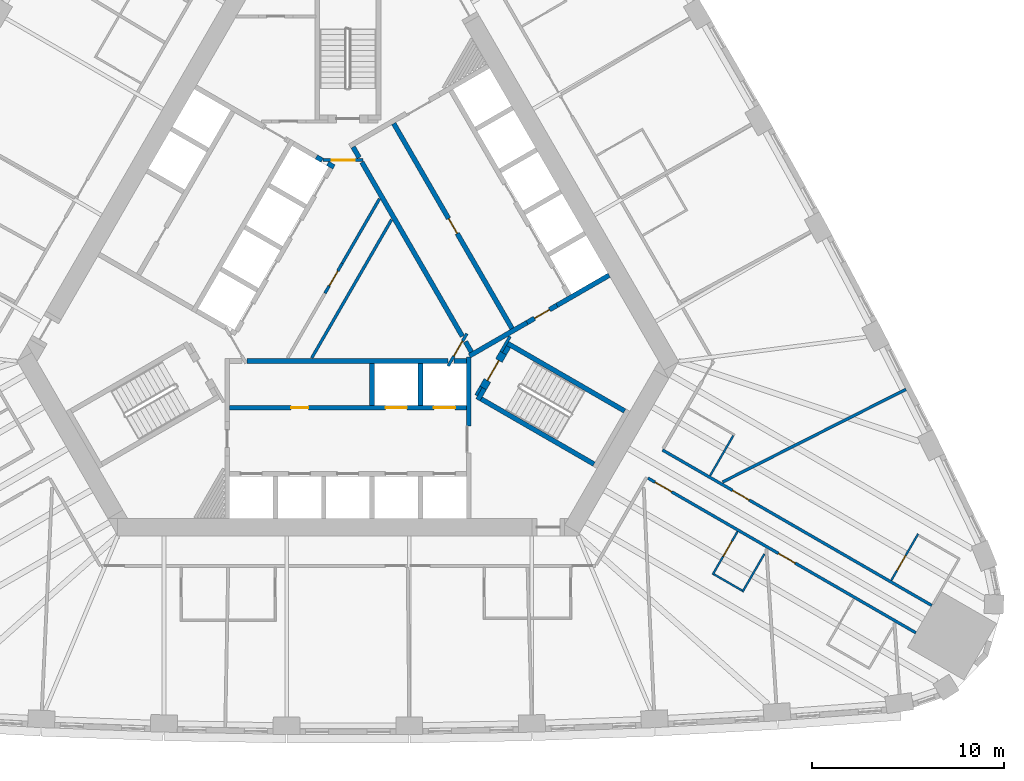
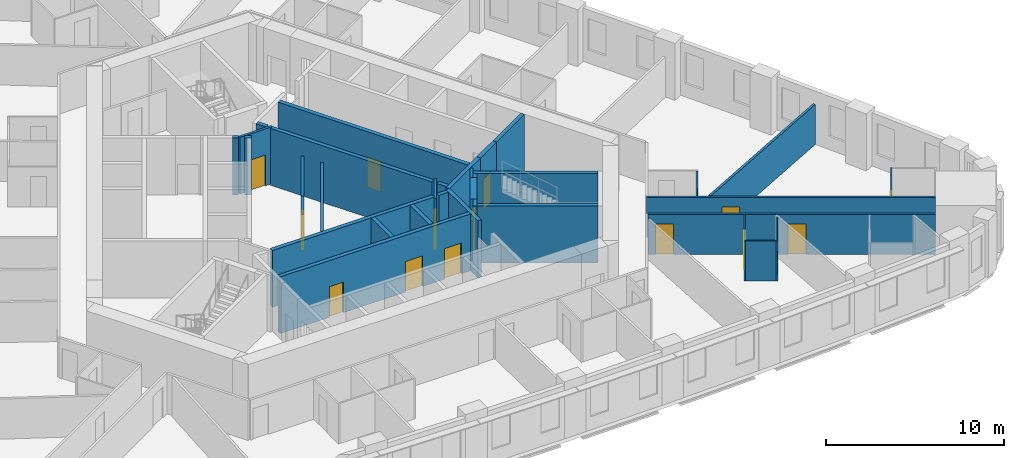
# One storey, part 7 of 12: 35 walls, 14 doors, 14 openings.
"""IFC4 building model written with IfcOpenShell, lengths in metres."""

from ifc_helpers import new_model, si_unit, direction, frame, frame_2d, origin, place, context, subcontext, project, spatial, rectangle, extrude, material, layer, layer_set, type_object, element, fill, save


model = new_model("IFC4")

# Units and contexts
model_context = context("Model", 3, precision=1e-05, world=origin(), true_north=direction((0.0, 1.0)))
body_context = subcontext(model_context, "Body", "Model", "MODEL_VIEW")
ifc_project = project(units=[si_unit("LENGTHUNIT", "METRE"), si_unit("AREAUNIT", "SQUARE_METRE"), si_unit("VOLUMEUNIT", "CUBIC_METRE"), si_unit("PLANEANGLEUNIT", "RADIAN"), si_unit("MASSUNIT", "GRAM", prefix="KILO")], contexts=[model_context])

# Site, building, storey
site_placement = place(None, origin())
site = spatial("IfcSite", under=ifc_project, at=site_placement, CompositionType="ELEMENT")
building_placement = place(site_placement, origin())
building = spatial("IfcBuilding", under=site, at=building_placement, Name="Mestral Congress Tower", CompositionType="ELEMENT")
storey_placement = place(building_placement, frame((0.0, 0.0, 66.60009765625)))
storey = spatial("IfcBuildingStorey", under=building, at=storey_placement, Name="L15", CompositionType="ELEMENT", Elevation=66.60009765625)

# Walls
ifc_material_1 = material(Name="Fire-rated board partition")
ifc_layer_1 = layer(ifc_material_1, 0.14990234375)
ifc_layer_set_1 = layer_set([ifc_layer_1], Name="Fire-rated board partition")
wall_type_1 = type_object("IfcWallType", Name="Core partition 150", PredefinedType="PARTITIONING", material=ifc_layer_set_1)
wall_1_placement = place(storey_placement, frame((6.94482421875, -5.22216796875, 0.0), z_axis=(0.0, 0.0, 1.0), x_axis=(-0.499818422106, -0.866130212453, 0.0)))
element("IfcWall", 1, at=wall_1_placement, inside=storey, type_object=wall_type_1, Name="L15 core wall", PredefinedType="PARTITIONING", context=body_context, shape_type="SweptSolid", body=[
    extrude(rectangle(XDim=0.513916015625, YDim=0.14990234375, at=frame_2d((0.2568359375, 0.0))), origin(), (0.0, 0.0, 1.0), 2.75),
])
wall_2_placement = place(storey_placement, frame((-1.886962890625, -3.71826171875, 0.0), z_axis=(0.0, 0.0, 1.0), x_axis=(0.500005008002, 0.866022512394, 0.0)))
element("IfcWall", 2, at=wall_2_placement, inside=storey, type_object=wall_type_1, Name="L15 core wall", PredefinedType="PARTITIONING", context=body_context, shape_type="SweptSolid", body=[
    extrude(rectangle(XDim=8.3271484375, YDim=0.14990234375, at=frame_2d((4.16357421875, 0.0))), origin(), (0.0, 0.0, 1.0), 2.75),
])
wall_3_placement = place(storey_placement, frame((-0.2998046875, 1.21240234375, 0.0), z_axis=(0.0, 0.0, 1.0), x_axis=(0.499963101113, 0.866046706318, 0.0)))
element("IfcWall", 3, at=wall_3_placement, inside=storey, type_object=wall_type_1, Name="L15 core wall", PredefinedType="PARTITIONING", context=body_context, shape_type="SweptSolid", body=[
    extrude(rectangle(XDim=3.893310546875, YDim=0.14990234375, at=frame_2d((1.94677734375, 0.0))), origin(), (0.0, 0.0, 1.0), 2.75),
])

# Wall, opening, door
wall_4_placement = place(storey_placement, frame((-1.199951171875, -0.346435546875, 0.0), z_axis=(0.0, 0.0, 1.0), x_axis=(0.499961193289, 0.866047807691, 0.0)))
wall_4 = element("IfcWall", 4, at=wall_4_placement, inside=storey, type_object=wall_type_1, Name="L15 door wall", PredefinedType="PARTITIONING", context=body_context, shape_type="SweptSolid", body=[
    extrude(rectangle(XDim=1.800048828125, YDim=0.14990234375, at=frame_2d((0.89990234375, 0.0))), origin(), (0.0, 0.0, 1.0), 2.75),
])
opening_1_placement = place(wall_4_placement, frame((0.449951171875, 0.0, 0.0)))
opening_1 = element("IfcOpeningElement", 5, at=opening_1_placement, cuts=wall_4, Name="Opening SD-HUB1", PredefinedType="OPENING", context=body_context, shape_type="SweptSolid", body=[
    extrude(rectangle(XDim=0.89990234375, YDim=2.10009765625, at=frame_2d((0.449951171875, 1.050048828125))), frame((0.0, 0.0849609375, 0.0), z_axis=(0.0, -1.0, 0.0), x_axis=(1.0, 0.0, 0.0)), (0.0, 0.0, 1.0), 0.169921875),
])
ifc_material_2 = material(Name="Fire-rated steel door set", Category="steel")
door_type_1 = type_object("IfcDoorType", Name="Core door SR 900x2100", OperationType="SINGLE_SWING_LEFT", PredefinedType="DOOR", material=ifc_material_2)
door_1_placement = place(opening_1_placement, origin())
door_1 = element("IfcDoor", 6, at=door_1_placement, inside=storey, type_object=door_type_1, Name="Door SD-HUB1", OperationType="SINGLE_SWING_LEFT", OverallHeight=2.10009765625, OverallWidth=0.89990234375, PredefinedType="DOOR", context=body_context, shape_type="SweptSolid", body=[
    extrude(rectangle(XDim=0.89990234375, YDim=2.10009765625, at=frame_2d((0.449951171875, 1.050048828125))), frame((0.0, 0.02490234375, 0.0), z_axis=(0.0, -1.0, 0.0), x_axis=(1.0, 0.0, 0.0)), (0.0, 0.0, 1.0), 0.050048828125),
])
fill(opening_1, door_1)

ifc_material_3 = material(Name="Gypsum board partition on metal studs with mineral wool", Category="composite")
ifc_layer_2 = layer(ifc_material_3, 0.10009765625)
ifc_layer_set_2 = layer_set([ifc_layer_2], Name="Gypsum board partition on metal studs with mineral wool")
wall_type_2 = type_object("IfcWallType", Name="Hotel partition wall 100", PredefinedType="PARTITIONING", material=ifc_layer_set_2)
wall_5_placement = place(storey_placement, frame((20.330078125, -12.77685546875, 0.0), z_axis=(0.0, 0.0, 1.0), x_axis=(-0.500006934395, -0.866021400173, 0.0)))
wall_5 = element("IfcWall", 7, at=wall_5_placement, inside=storey, type_object=wall_type_2, Name="L15-h-pod06a", PredefinedType="PARTITIONING", context=body_context, shape_type="SweptSolid", body=[
    extrude(rectangle(XDim=2.60009765625, YDim=0.10009765625, at=frame_2d((1.300048828125, 0.0))), origin(), (0.0, 0.0, 1.0), 2.75),
])
opening_2_placement = place(wall_5_placement, frame((0.60009765625, 0.0, 0.0)))
opening_2 = element("IfcOpeningElement", 8, at=opening_2_placement, cuts=wall_5, Name="Opening H04-012", PredefinedType="OPENING", context=body_context, shape_type="SweptSolid", body=[
    extrude(rectangle(XDim=0.89990234375, YDim=2.10009765625, at=frame_2d((0.449951171875, 1.050048828125))), frame((0.0, 0.06005859375, 0.0), z_axis=(0.0, -1.0, 0.0), x_axis=(1.0, 0.0, 0.0)), (0.0, 0.0, 1.0), 0.1201171875),
])
ifc_material_4 = material(Name="Timber veneer door leaf in timber frame", Category="wood")
door_type_2 = type_object("IfcDoorType", Name="Bathroom door 900", OperationType="SINGLE_SWING_LEFT", PredefinedType="DOOR", material=ifc_material_4)
door_2_placement = place(opening_2_placement, origin())
door_2 = element("IfcDoor", 9, at=door_2_placement, inside=storey, type_object=door_type_2, Name="L15-h-d012", OperationType="SINGLE_SWING_RIGHT", OverallHeight=2.10009765625, OverallWidth=0.89990234375, PredefinedType="DOOR", context=body_context, shape_type="SweptSolid", body=[
    extrude(rectangle(XDim=0.89990234375, YDim=2.10009765625, at=frame_2d((0.449951171875, 1.050048828125))), frame((0.0, 0.02490234375, 0.0), z_axis=(0.0, -1.0, 0.0), x_axis=(1.0, 0.0, 0.0)), (0.0, 0.0, 1.0), 0.050048828125),
])
fill(opening_2, door_2)

# Walls
wall_6_placement = place(storey_placement, frame((19.098388671875, -15.01025390625, 0.0), z_axis=(0.0, 0.0, 1.0), x_axis=(0.86605165483, -0.499954529098, 0.0)))
element("IfcWall", 10, at=wall_6_placement, inside=storey, type_object=wall_type_2, Name="L15-h-pod06b", PredefinedType="PARTITIONING", context=body_context, shape_type="SweptSolid", body=[
    extrude(rectangle(XDim=1.699951171875, YDim=0.10009765625, at=frame_2d((0.85009765625, 0.0))), origin(), (0.0, 0.0, 1.0), 2.75),
])
wall_7_placement = place(storey_placement, frame((21.73388671875, -13.9453125, 0.0), z_axis=(0.0, 0.0, 1.0), x_axis=(-0.500014693593, -0.866016920268, 0.0)))
element("IfcWall", 11, at=wall_7_placement, inside=storey, type_object=wall_type_2, Name="L15-h-pod06c", PredefinedType="PARTITIONING", context=body_context, shape_type="SweptSolid", body=[
    extrude(rectangle(XDim=2.2900390625, YDim=0.10009765625, at=frame_2d((1.14501953125, 0.0))), origin(), (0.0, 0.0, 1.0), 2.75),
])

# Wall, opening, door
wall_8_placement = place(storey_placement, frame((29.75244140625, -12.9052734375, 0.0), z_axis=(0.0, 0.0, 1.0), x_axis=(-0.500049511043, -0.865996816683, 0.0)))
wall_8 = element("IfcWall", 12, at=wall_8_placement, inside=storey, type_object=wall_type_2, Name="L15-h-pod08a", PredefinedType="PARTITIONING", context=body_context, shape_type="SweptSolid", body=[
    extrude(rectangle(XDim=2.800048828125, YDim=0.10009765625, at=frame_2d((1.39990234375, 0.0))), origin(), (0.0, 0.0, 1.0), 2.75),
])
opening_3_placement = place(wall_8_placement, frame((1.300048828125, 0.0, 0.0)))
opening_3 = element("IfcOpeningElement", 13, at=opening_3_placement, cuts=wall_8, Name="Opening H04-016", PredefinedType="OPENING", context=body_context, shape_type="SweptSolid", body=[
    extrude(rectangle(XDim=0.89990234375, YDim=2.10009765625, at=frame_2d((0.449951171875, 1.050048828125))), frame((0.0, 0.06005859375, 0.0), z_axis=(0.0, -1.0, 0.0), x_axis=(1.0, 0.0, 0.0)), (0.0, 0.0, 1.0), 0.1201171875),
])
door_3_placement = place(opening_3_placement, origin())
door_3 = element("IfcDoor", 14, at=door_3_placement, inside=storey, type_object=door_type_2, Name="L15-h-d016", OperationType="SINGLE_SWING_LEFT", OverallHeight=2.10009765625, OverallWidth=0.89990234375, PredefinedType="DOOR", context=body_context, shape_type="SweptSolid", body=[
    extrude(rectangle(XDim=0.89990234375, YDim=2.10009765625, at=frame_2d((0.449951171875, 1.050048828125))), frame((0.0, 0.02490234375, 0.0), z_axis=(0.0, -1.0, 0.0), x_axis=(1.0, 0.0, 0.0)), (0.0, 0.0, 1.0), 0.050048828125),
])
fill(opening_3, door_3)

# Wall
wall_9_placement = place(storey_placement, frame((20.10888671875, -7.7705078125, 0.0), z_axis=(0.0, 0.0, 1.0), x_axis=(-0.500077573772, -0.865980611914, 0.0)))
element("IfcWall", 15, at=wall_9_placement, inside=storey, type_object=wall_type_2, Name="L15-h-pod09b", PredefinedType="PARTITIONING", context=body_context, shape_type="SweptSolid", body=[
    extrude(rectangle(XDim=2.419921875, YDim=0.10009765625, at=frame_2d((1.2099609375, 0.0))), origin(), (0.0, 0.0, 1.0), 2.75),
])

# Wall, opening, door
ifc_layer_3 = layer(ifc_material_3, 0.14990234375)
ifc_layer_set_3 = layer_set([ifc_layer_3], Name="Gypsum board partition on metal studs with mineral wool")
wall_type_3 = type_object("IfcWallType", Name="Hotel partition wall 150", PredefinedType="PARTITIONING", material=ifc_layer_set_3)
wall_10_placement = place(storey_placement, frame((16.412353515625, -8.52294921875, 0.0), z_axis=(0.0, 0.0, 1.0), x_axis=(0.866022197818, -0.500005552856, 0.0)))
wall_10 = element("IfcWall", 16, at=wall_10_placement, inside=storey, type_object=wall_type_3, Name="L15-h-cw01", PredefinedType="PARTITIONING", context=body_context, shape_type="SweptSolid", body=[
    extrude(rectangle(XDim=16.223876953125, YDim=0.14990234375, at=frame_2d((8.11181640625, 0.0))), origin(), (0.0, 0.0, 1.0), 2.75),
])
opening_4_placement = place(wall_10_placement, frame((4.223388671875, 0.0, 0.0)))
opening_4 = element("IfcOpeningElement", 17, at=opening_4_placement, cuts=wall_10, Name="Opening H04-015", PredefinedType="OPENING", context=body_context, shape_type="SweptSolid", body=[
    extrude(rectangle(XDim=1.0, YDim=2.10009765625, at=frame_2d((0.5, 1.050048828125))), frame((0.0, 0.0849609375, 0.0), z_axis=(0.0, -1.0, 0.0), x_axis=(1.0, 0.0, 0.0)), (0.0, 0.0, 1.0), 0.169921875),
])
ifc_material_5 = material(Name="Timber veneer door leaf in metal frame", Category="wood")
door_type_3 = type_object("IfcDoorType", Name="Guest room entrance door 1000", OperationType="SINGLE_SWING_LEFT", PredefinedType="DOOR", material=ifc_material_5)
door_4_placement = place(opening_4_placement, origin())
door_4 = element("IfcDoor", 18, at=door_4_placement, inside=storey, type_object=door_type_3, Name="L15-h-d015", OperationType="SINGLE_SWING_LEFT", OverallHeight=2.10009765625, OverallWidth=1.0, PredefinedType="DOOR", context=body_context, shape_type="SweptSolid", body=[
    extrude(rectangle(XDim=1.0, YDim=2.10009765625, at=frame_2d((0.5, 1.050048828125))), frame((0.0, 0.02490234375, 0.0), z_axis=(0.0, -1.0, 0.0), x_axis=(1.0, 0.0, 0.0)), (0.0, 0.0, 1.0), 0.050048828125),
])
fill(opening_4, door_4)

# Wall, openings, doors
wall_11_placement = place(storey_placement, frame((29.6376953125, -18.06396484375, 0.0), z_axis=(0.0, 0.0, 1.0), x_axis=(-0.866026175601, 0.499998663172, 0.0)))
wall_11 = element("IfcWall", 19, at=wall_11_placement, inside=storey, type_object=wall_type_3, Name="L15-h-cw15", PredefinedType="PARTITIONING", context=body_context, shape_type="SweptSolid", body=[
    extrude(rectangle(XDim=16.14404296875, YDim=0.14990234375, at=frame_2d((8.072021484375, 0.0))), origin(), (0.0, 0.0, 1.0), 2.75),
])
opening_5_placement = place(wall_11_placement, frame((14.7138671875, 0.0, 0.0)))
opening_5 = element("IfcOpeningElement", 20, at=opening_5_placement, cuts=wall_11, Name="Opening H04-011", PredefinedType="OPENING", context=body_context, shape_type="SweptSolid", body=[
    extrude(rectangle(XDim=1.0, YDim=2.10009765625, at=frame_2d((0.5, 1.050048828125))), frame((0.0, 0.0849609375, 0.0), z_axis=(0.0, -1.0, 0.0), x_axis=(1.0, 0.0, 0.0)), (0.0, 0.0, 1.0), 0.169921875),
])
opening_6_placement = place(wall_11_placement, frame((7.275146484375, 0.0, 0.0)))
opening_6 = element("IfcOpeningElement", 21, at=opening_6_placement, cuts=wall_11, Name="Opening H04-013", PredefinedType="OPENING", context=body_context, shape_type="SweptSolid", body=[
    extrude(rectangle(XDim=1.0, YDim=2.10009765625, at=frame_2d((0.5, 1.050048828125))), frame((0.0, 0.0849609375, 0.0), z_axis=(0.0, -1.0, 0.0), x_axis=(1.0, 0.0, 0.0)), (0.0, 0.0, 1.0), 0.169921875),
])
door_5_placement = place(opening_5_placement, origin())
door_5 = element("IfcDoor", 22, at=door_5_placement, inside=storey, type_object=door_type_3, Name="L15-h-d011", OperationType="SINGLE_SWING_RIGHT", OverallHeight=2.10009765625, OverallWidth=1.0, PredefinedType="DOOR", context=body_context, shape_type="SweptSolid", body=[
    extrude(rectangle(XDim=1.0, YDim=2.10009765625, at=frame_2d((0.5, 1.050048828125))), frame((0.0, 0.02490234375, 0.0), z_axis=(0.0, -1.0, 0.0), x_axis=(1.0, 0.0, 0.0)), (0.0, 0.0, 1.0), 0.050048828125),
])
fill(opening_5, door_5)
door_6_placement = place(opening_6_placement, origin())
door_6 = element("IfcDoor", 23, at=door_6_placement, inside=storey, type_object=door_type_3, Name="L15-h-d013", OperationType="SINGLE_SWING_RIGHT", OverallHeight=2.10009765625, OverallWidth=1.0, PredefinedType="DOOR", context=body_context, shape_type="SweptSolid", body=[
    extrude(rectangle(XDim=1.0, YDim=2.10009765625, at=frame_2d((0.5, 1.050048828125))), frame((0.0, 0.02490234375, 0.0), z_axis=(0.0, -1.0, 0.0), x_axis=(1.0, 0.0, 0.0)), (0.0, 0.0, 1.0), 0.050048828125),
])
fill(opening_6, door_6)

# Walls
wall_12_placement = place(storey_placement, frame((29.119873046875, -5.355712890625, 0.0), z_axis=(0.0, 0.0, 1.0), x_axis=(-0.892401965553, -0.451241323327, 0.0)))
element("IfcWall", 24, at=wall_12_placement, inside=storey, type_object=wall_type_3, Name="L15-h-pw22", PredefinedType="PARTITIONING", context=body_context, shape_type="SweptSolid", body=[
    extrude(rectangle(XDim=10.728759765625, YDim=0.14990234375, at=frame_2d((5.3642578125, 0.0))), origin(), (0.0, 0.0, 1.0), 2.75),
])
ifc_material_6 = material(Name="Concrete C60/75", Category="concrete")
ifc_layer_4 = layer(ifc_material_6, 0.25)
ifc_layer_set_4 = layer_set([ifc_layer_4], Name="Concrete C60/75")
wall_type_4 = type_object("IfcWallType", Name="Shaft wall RC 250", PredefinedType="SOLIDWALL", material=ifc_layer_set_4)
wall_13_placement = place(storey_placement, frame((-5.25927734375, -3.875, 0.0), z_axis=(0.0, 0.0, 1.0), x_axis=(1.0, 0.0, 0.0)))
element("IfcWall", 25, at=wall_13_placement, inside=storey, type_object=wall_type_4, Name="L15 core wall", PredefinedType="SOLIDWALL", context=body_context, shape_type="SweptSolid", body=[
    extrude(rectangle(XDim=10.488525390625, YDim=0.25, at=frame_2d((5.244140625, 0.0))), origin(), (0.0, 0.0, 1.0), 3.89990234375),
])
for number, where, z_axis, x_axis, name in (
    (26, (3.780029296875, -4.0, 0.0), (0.0, 0.0, 1.0), (0.0, -1.0, 0.0), "L15 core wall"),
    (27, (1.260009765625, -4.0, 0.0), (0.0, 0.0, 1.0), (0.0, -1.0, 0.0), "L15 core wall"),
):
    element("IfcWall", number, at=place(storey_placement, frame(where, z_axis=z_axis, x_axis=x_axis)), inside=storey, type_object=wall_type_4, Name=name, PredefinedType="SOLIDWALL", context=body_context, shape_type="SweptSolid", body=[
        extrude(rectangle(XDim=2.199951171875, YDim=0.25, at=frame_2d((1.10009765625, 0.0))), origin(), (0.0, 0.0, 1.0), 3.89990234375),
    ])
wall_14_placement = place(storey_placement, frame((6.300048828125, -7.27001953125, 0.0), z_axis=(0.0, 0.0, 1.0), x_axis=(0.0, 1.0, 0.0)))
element("IfcWall", 28, at=wall_14_placement, inside=storey, type_object=wall_type_4, Name="L15 core wall", PredefinedType="SOLIDWALL", context=body_context, shape_type="SweptSolid", body=[
    extrude(rectangle(XDim=3.586181640625, YDim=0.25, at=frame_2d((1.79296875, 0.0))), origin(), (0.0, 0.0, 1.0), 3.89990234375),
])
wall_15_placement = place(storey_placement, frame((5.538330078125, -3.875, 0.0), z_axis=(0.0, 0.0, 1.0), x_axis=(1.0, 0.0, 0.0)))
element("IfcWall", 29, at=wall_15_placement, inside=storey, type_object=wall_type_4, Name="L15 core wall", PredefinedType="SOLIDWALL", context=body_context, shape_type="SweptSolid", body=[
    extrude(rectangle(XDim=0.63671875, YDim=0.25, at=frame_2d((0.318359375, 0.0))), origin(), (0.0, 0.0, 1.0), 3.89990234375),
])
wall_16_placement = place(storey_placement, frame((13.62890625, 0.593994140625, 0.0), z_axis=(0.0, 0.0, 1.0), x_axis=(-0.86602790099, -0.499995674689, 0.0)))
element("IfcWall", 30, at=wall_16_placement, inside=storey, type_object=wall_type_4, Name="L15 core wall", PredefinedType="SOLIDWALL", context=body_context, shape_type="SweptSolid", body=[
    extrude(rectangle(XDim=3.1455078125, YDim=0.25, at=frame_2d((1.57275390625, 0.0))), origin(), (0.0, 0.0, 1.0), 3.89990234375),
])
wall_17_placement = place(storey_placement, frame((9.345703125, -1.87890625, 0.0), z_axis=(0.0, 0.0, 1.0), x_axis=(-0.866048528039, -0.499959945477, 0.0)))
element("IfcWall", 31, at=wall_17_placement, inside=storey, type_object=wall_type_4, Name="L15 core wall", PredefinedType="SOLIDWALL", context=body_context, shape_type="SweptSolid", body=[
    extrude(rectangle(XDim=3.470458984375, YDim=0.25, at=frame_2d((1.7353515625, 0.0))), origin(), (0.0, 0.0, 1.0), 3.89990234375),
])
wall_18_placement = place(storey_placement, frame((6.1298828125, -2.867431640625, 0.0), z_axis=(0.0, 0.0, 1.0), x_axis=(0.500160776593, -0.865932559475, 0.0)))
element("IfcWall", 32, at=wall_18_placement, inside=storey, type_object=wall_type_4, Name="L15 core wall", PredefinedType="SOLIDWALL", context=body_context, shape_type="SweptSolid", body=[
    extrude(rectangle(XDim=0.626708984375, YDim=0.25, at=frame_2d((0.3134765625, 0.0))), origin(), (0.0, 0.0, 1.0), 3.89990234375),
])
wall_19_placement = place(storey_placement, frame((0.268310546875, 7.28515625, 0.0), z_axis=(0.0, 0.0, 1.0), x_axis=(0.500098681536, -0.865968422476, 0.0)))
element("IfcWall", 33, at=wall_19_placement, inside=storey, type_object=wall_type_4, Name="L15 core wall", PredefinedType="SOLIDWALL", context=body_context, shape_type="SweptSolid", body=[
    extrude(rectangle(XDim=0.636474609375, YDim=0.25, at=frame_2d((0.318359375, 0.0))), origin(), (0.0, 0.0, 1.0), 3.89990234375),
])
wall_20_placement = place(storey_placement, frame((5.970458984375, -2.591064453125, 0.0), z_axis=(0.0, 0.0, 1.0), x_axis=(-0.499994469932, 0.866028596547, 0.0)))
element("IfcWall", 34, at=wall_20_placement, inside=storey, type_object=wall_type_4, Name="L15 core wall", PredefinedType="SOLIDWALL", context=body_context, shape_type="SweptSolid", body=[
    extrude(rectangle(XDim=10.48828125, YDim=0.25, at=frame_2d((5.244140625, 0.0))), origin(), (0.0, 0.0, 1.0), 3.89990234375),
])
wall_21_placement = place(storey_placement, frame((-1.34228515625, 6.5947265625, 0.0), z_axis=(0.0, 0.0, 1.0), x_axis=(-0.866046247233, 0.49996389635, 0.0)))
element("IfcWall", 35, at=wall_21_placement, inside=storey, type_object=wall_type_4, Name="L15 core wall", PredefinedType="SOLIDWALL", context=body_context, shape_type="SweptSolid", body=[
    extrude(rectangle(XDim=0.35009765625, YDim=0.25, at=frame_2d((0.175048828125, 0.0))), origin(), (0.0, 0.0, 1.0), 3.89990234375),
])
wall_22_placement = place(storey_placement, frame((-0.7275390625, 6.23974609375, 0.0), z_axis=(0.0, 0.0, 1.0), x_axis=(-0.866088799389, 0.499890179513, 0.0)))
element("IfcWall", 36, at=wall_22_placement, inside=storey, type_object=wall_type_4, Name="L15 core wall", PredefinedType="SOLIDWALL", context=body_context, shape_type="SweptSolid", body=[
    extrude(rectangle(XDim=0.3779296875, YDim=0.25, at=frame_2d((0.18896484375, 0.0))), origin(), (0.0, 0.0, 1.0), 3.89990234375),
])

# Wall, openings, doors
wall_23_placement = place(storey_placement, frame((-6.175048828125, -6.324951171875, 0.0), z_axis=(0.0, 0.0, 1.0), x_axis=(1.0, 0.0, 0.0)))
wall_23 = element("IfcWall", 37, at=wall_23_placement, inside=storey, type_object=wall_type_4, Name="L15 door wall", PredefinedType="SOLIDWALL", context=body_context, shape_type="SweptSolid", body=[
    extrude(rectangle(XDim=12.35009765625, YDim=0.25, at=frame_2d((6.175048828125, 0.0))), origin(), (0.0, 0.0, 1.0), 3.89990234375),
])
opening_7_placement = place(wall_23_placement, frame((3.205078125, 0.0, 0.0)))
opening_7 = element("IfcOpeningElement", 38, at=opening_7_placement, cuts=wall_23, Name="Opening SR-SOB1", PredefinedType="OPENING", context=body_context, shape_type="SweptSolid", body=[
    extrude(rectangle(XDim=0.89990234375, YDim=2.10009765625, at=frame_2d((0.449951171875, 1.050048828125))), frame((0.0, 0.135009765625, 0.0), z_axis=(0.0, -1.0, 0.0), x_axis=(1.0, 0.0, 0.0)), (0.0, 0.0, 1.0), 0.27001953125),
])
opening_8_placement = place(wall_23_placement, frame((8.14501953125, 0.0, 0.0)))
opening_8 = element("IfcOpeningElement", 39, at=opening_8_placement, cuts=wall_23, Name="Opening LD-SOB4", PredefinedType="OPENING", context=body_context, shape_type="SweptSolid", body=[
    extrude(rectangle(XDim=1.10009765625, YDim=2.10009765625, at=frame_2d((0.550048828125, 1.050048828125))), frame((0.0, 0.135009765625, 0.0), z_axis=(0.0, -1.0, 0.0), x_axis=(1.0, 0.0, 0.0)), (0.0, 0.0, 1.0), 0.27001953125),
])
opening_9_placement = place(wall_23_placement, frame((10.6650390625, 0.0, 0.0)))
opening_9 = element("IfcOpeningElement", 40, at=opening_9_placement, cuts=wall_23, Name="Opening LD-SOB5", PredefinedType="OPENING", context=body_context, shape_type="SweptSolid", body=[
    extrude(rectangle(XDim=1.10009765625, YDim=2.10009765625, at=frame_2d((0.550048828125, 1.050048828125))), frame((0.0, 0.135009765625, 0.0), z_axis=(0.0, -1.0, 0.0), x_axis=(1.0, 0.0, 0.0)), (0.0, 0.0, 1.0), 0.27001953125),
])
door_type_4 = type_object("IfcDoorType", Name="Core door LD 1100x2100", OperationType="DOUBLE_DOOR_SLIDING", PredefinedType="DOOR", material=ifc_material_2)
door_7_placement = place(opening_8_placement, origin())
door_7 = element("IfcDoor", 41, at=door_7_placement, inside=storey, type_object=door_type_4, Name="Door LD-SOB4", OperationType="DOUBLE_DOOR_SLIDING", OverallHeight=2.10009765625, OverallWidth=1.10009765625, PredefinedType="DOOR", context=body_context, shape_type="SweptSolid", body=[
    extrude(rectangle(XDim=1.10009765625, YDim=2.10009765625, at=frame_2d((0.550048828125, 1.050048828125))), frame((0.0, 0.02490234375, 0.0), z_axis=(0.0, -1.0, 0.0), x_axis=(1.0, 0.0, 0.0)), (0.0, 0.0, 1.0), 0.050048828125),
])
fill(opening_8, door_7)
door_8_placement = place(opening_9_placement, origin())
door_8 = element("IfcDoor", 42, at=door_8_placement, inside=storey, type_object=door_type_4, Name="Door LD-SOB5", OperationType="DOUBLE_DOOR_SLIDING", OverallHeight=2.10009765625, OverallWidth=1.10009765625, PredefinedType="DOOR", context=body_context, shape_type="SweptSolid", body=[
    extrude(rectangle(XDim=1.10009765625, YDim=2.10009765625, at=frame_2d((0.550048828125, 1.050048828125))), frame((0.0, 0.02490234375, 0.0), z_axis=(0.0, -1.0, 0.0), x_axis=(1.0, 0.0, 0.0)), (0.0, 0.0, 1.0), 0.050048828125),
])
fill(opening_9, door_8)
door_9_placement = place(opening_7_placement, origin())
door_9 = element("IfcDoor", 43, at=door_9_placement, inside=storey, type_object=door_type_1, Name="Door SR-SOB1", OperationType="SINGLE_SWING_LEFT", OverallHeight=2.10009765625, OverallWidth=0.89990234375, PredefinedType="DOOR", context=body_context, shape_type="SweptSolid", body=[
    extrude(rectangle(XDim=0.89990234375, YDim=2.10009765625, at=frame_2d((0.449951171875, 1.050048828125))), frame((0.0, 0.02490234375, 0.0), z_axis=(0.0, -1.0, 0.0), x_axis=(1.0, 0.0, 0.0)), (0.0, 0.0, 1.0), 0.050048828125),
])
fill(opening_7, door_9)

# Wall, opening, door
wall_24_placement = place(storey_placement, frame((8.565185546875, -2.185302734375, 0.0), z_axis=(0.0, 0.0, 1.0), x_axis=(-0.499997954832, 0.866026584559, 0.0)))
wall_24 = element("IfcWall", 44, at=wall_24_placement, inside=storey, type_object=wall_type_4, Name="L15 door wall", PredefinedType="SOLIDWALL", context=body_context, shape_type="SweptSolid", body=[
    extrude(rectangle(XDim=12.35009765625, YDim=0.25, at=frame_2d((6.175048828125, 0.0))), origin(), (0.0, 0.0, 1.0), 3.89990234375),
])
opening_10_placement = place(wall_24_placement, frame((5.72509765625, 0.0, 0.0)))
opening_10 = element("IfcOpeningElement", 45, at=opening_10_placement, cuts=wall_24, Name="Opening SR-NEB1", PredefinedType="OPENING", context=body_context, shape_type="SweptSolid", body=[
    extrude(rectangle(XDim=0.89990234375, YDim=2.10009765625, at=frame_2d((0.449951171875, 1.050048828125))), frame((0.0, 0.135009765625, 0.0), z_axis=(0.0, -1.0, 0.0), x_axis=(1.0, 0.0, 0.0)), (0.0, 0.0, 1.0), 0.27001953125),
])
door_10_placement = place(opening_10_placement, origin())
door_10 = element("IfcDoor", 46, at=door_10_placement, inside=storey, type_object=door_type_1, Name="Door SR-NEB1", OperationType="SINGLE_SWING_LEFT", OverallHeight=2.10009765625, OverallWidth=0.89990234375, PredefinedType="DOOR", context=body_context, shape_type="SweptSolid", body=[
    extrude(rectangle(XDim=0.89990234375, YDim=2.10009765625, at=frame_2d((0.449951171875, 1.050048828125))), frame((0.0, 0.02490234375, 0.0), z_axis=(0.0, -1.0, 0.0), x_axis=(1.0, 0.0, 0.0)), (0.0, 0.0, 1.0), 0.050048828125),
])
fill(opening_10, door_10)

wall_25_placement = place(storey_placement, frame((9.345947265625, -1.878662109375, 0.0), z_axis=(0.0, 0.0, 1.0), x_axis=(0.866047807691, 0.499961193289, 0.0)))
wall_25 = element("IfcWall", 47, at=wall_25_placement, inside=storey, type_object=wall_type_4, Name="L15 door wall", PredefinedType="SOLIDWALL", context=body_context, shape_type="SweptSolid", body=[
    extrude(rectangle(XDim=1.800048828125, YDim=0.25, at=frame_2d((0.89990234375, 0.0))), origin(), (0.0, 0.0, 1.0), 3.89990234375),
])
opening_11_placement = place(wall_25_placement, frame((0.449951171875, 0.0, 0.0)))
opening_11 = element("IfcOpeningElement", 48, at=opening_11_placement, cuts=wall_25, Name="Opening TD1", PredefinedType="OPENING", context=body_context, shape_type="SweptSolid", body=[
    extrude(rectangle(XDim=0.89990234375, YDim=2.10009765625, at=frame_2d((0.449951171875, 1.050048828125))), frame((0.0, 0.135009765625, 0.0), z_axis=(0.0, -1.0, 0.0), x_axis=(1.0, 0.0, 0.0)), (0.0, 0.0, 1.0), 0.27001953125),
])
door_11_placement = place(opening_11_placement, origin())
door_11 = element("IfcDoor", 49, at=door_11_placement, inside=storey, type_object=door_type_1, Name="Door TD1", OperationType="SINGLE_SWING_LEFT", OverallHeight=2.10009765625, OverallWidth=0.89990234375, PredefinedType="DOOR", context=body_context, shape_type="SweptSolid", body=[
    extrude(rectangle(XDim=0.89990234375, YDim=2.10009765625, at=frame_2d((0.449951171875, 1.050048828125))), frame((0.0, 0.02490234375, 0.0), z_axis=(0.0, -1.0, 0.0), x_axis=(1.0, 0.0, 0.0)), (0.0, 0.0, 1.0), 0.050048828125),
])
fill(opening_11, door_11)

# Wall
ifc_layer_5 = layer(ifc_material_6, 0.14990234375)
ifc_layer_set_5 = layer_set([ifc_layer_5], Name="Concrete C60/75")
wall_type_5 = type_object("IfcWallType", Name="Shaft wall RC 250 door-wall 150", PredefinedType="SOLIDWALL", material=ifc_layer_set_5)
wall_26_placement = place(storey_placement, frame((8.459228515625, -2.59912109375, 0.0), z_axis=(0.0, 0.0, 1.0), x_axis=(-0.500041054325, -0.866001699761, 0.0)))
element("IfcWall", 50, at=wall_26_placement, inside=storey, type_object=wall_type_5, Name="L15 core wall", PredefinedType="PARTITIONING", context=body_context, shape_type="SweptSolid", body=[
    extrude(rectangle(XDim=0.9287109375, YDim=0.14990234375, at=frame_2d((0.46435546875, 0.0))), origin(), (0.0, 0.0, 1.0), 3.89990234375),
])

# Wall, opening, door
wall_27_placement = place(storey_placement, frame((6.203369140625, -2.45556640625, 0.0), z_axis=(0.0, 0.0, 1.0), x_axis=(-0.500043961785, -0.866000020948, 0.0)))
wall_27 = element("IfcWall", 51, at=wall_27_placement, inside=storey, type_object=wall_type_5, Name="L15 door wall", PredefinedType="PARTITIONING", context=body_context, shape_type="SweptSolid", body=[
    extrude(rectangle(XDim=1.949951171875, YDim=0.14990234375, at=frame_2d((0.97509765625, 0.0))), origin(), (0.0, 0.0, 1.0), 3.89990234375),
])
opening_12_placement = place(wall_27_placement, frame((0.449951171875, 0.0, 0.0)))
opening_12 = element("IfcOpeningElement", 52, at=opening_12_placement, cuts=wall_27, Name="Opening CD1-HUB0", PredefinedType="OPENING", context=body_context, shape_type="SweptSolid", body=[
    extrude(rectangle(XDim=0.89990234375, YDim=2.10009765625, at=frame_2d((0.449951171875, 1.050048828125))), frame((0.0, 0.0849609375, 0.0), z_axis=(0.0, -1.0, 0.0), x_axis=(1.0, 0.0, 0.0)), (0.0, 0.0, 1.0), 0.169921875),
])
door_type_5 = type_object("IfcDoorType", Name="Core door CD 900x2100", OperationType="SINGLE_SWING_LEFT", PredefinedType="DOOR", material=ifc_material_2)
door_12_placement = place(opening_12_placement, origin())
door_12 = element("IfcDoor", 53, at=door_12_placement, inside=storey, type_object=door_type_5, Name="Door CD1-HUB0", OperationType="SINGLE_SWING_LEFT", OverallHeight=2.10009765625, OverallWidth=0.89990234375, PredefinedType="DOOR", context=body_context, shape_type="SweptSolid", body=[
    extrude(rectangle(XDim=0.89990234375, YDim=2.10009765625, at=frame_2d((0.449951171875, 1.050048828125))), frame((0.0, 0.02490234375, 0.0), z_axis=(0.0, -1.0, 0.0), x_axis=(1.0, 0.0, 0.0)), (0.0, 0.0, 1.0), 0.050048828125),
])
fill(opening_12, door_12)

wall_28_placement = place(storey_placement, frame((-1.303466796875, 6.60009765625, 0.0), z_axis=(0.0, 0.0, 1.0), x_axis=(1.0, 0.0, 0.0)))
wall_28 = element("IfcWall", 54, at=wall_28_placement, inside=storey, type_object=wall_type_5, Name="L15 door wall", PredefinedType="PARTITIONING", context=body_context, shape_type="SweptSolid", body=[
    extrude(rectangle(XDim=2.099853515625, YDim=0.14990234375, at=frame_2d((1.0498046875, 0.0))), origin(), (0.0, 0.0, 1.0), 3.89990234375),
])
opening_13_placement = place(wall_28_placement, frame((0.449951171875, 0.0, 0.0)))
opening_13 = element("IfcOpeningElement", 55, at=opening_13_placement, cuts=wall_28, Name="Opening CD2-FF", PredefinedType="OPENING", context=body_context, shape_type="SweptSolid", body=[
    extrude(rectangle(XDim=1.199951171875, YDim=2.10009765625, at=frame_2d((0.60009765625, 1.050048828125))), frame((0.0, 0.0849609375, 0.0), z_axis=(0.0, -1.0, 0.0), x_axis=(1.0, 0.0, 0.0)), (0.0, 0.0, 1.0), 0.169921875),
])
door_type_6 = type_object("IfcDoorType", Name="Core door CD 1200x2100", OperationType="SINGLE_SWING_LEFT", PredefinedType="DOOR", material=ifc_material_2)
door_13_placement = place(opening_13_placement, origin())
door_13 = element("IfcDoor", 56, at=door_13_placement, inside=storey, type_object=door_type_6, Name="Door CD2-FF", OperationType="SINGLE_SWING_LEFT", OverallHeight=2.10009765625, OverallWidth=1.199951171875, PredefinedType="DOOR", context=body_context, shape_type="SweptSolid", body=[
    extrude(rectangle(XDim=1.199951171875, YDim=2.10009765625, at=frame_2d((0.60009765625, 1.050048828125))), frame((0.0, 0.02490234375, 0.0), z_axis=(0.0, -1.0, 0.0), x_axis=(1.0, 0.0, 0.0)), (0.0, 0.0, 1.0), 0.050048828125),
])
fill(opening_13, door_13)

# Walls
ifc_layer_6 = layer(ifc_material_6, 0.25)
ifc_layer_set_6 = layer_set([ifc_layer_6], Name="Concrete C60/75")
wall_type_6 = type_object("IfcWallType", Name="Stair wall RC 250", PredefinedType="SOLIDWALL", material=ifc_layer_set_6)
wall_29_placement = place(storey_placement, frame((12.83984375, -9.2607421875, 0.0), z_axis=(0.0, 0.0, 1.0), x_axis=(-0.866013990052, 0.500019768644, 0.0)))
element("IfcWall", 57, at=wall_29_placement, inside=storey, type_object=wall_type_6, Name="L15 core wall", PredefinedType="SOLIDWALL", context=body_context, shape_type="SweptSolid", body=[
    extrude(rectangle(XDim=6.800048828125, YDim=0.25, at=frame_2d((3.39990234375, 0.0))), origin(), (0.0, 0.0, 1.0), 3.89990234375),
])
wall_30_placement = place(storey_placement, frame((6.780029296875, -5.906494140625, 0.0), z_axis=(0.0, 0.0, 1.0), x_axis=(0.500223362819, 0.865896406789, 0.0)))
element("IfcWall", 58, at=wall_30_placement, inside=storey, type_object=wall_type_6, Name="L15 core wall", PredefinedType="SOLIDWALL", context=body_context, shape_type="SweptSolid", body=[
    extrude(rectangle(XDim=0.675048828125, YDim=0.25, at=frame_2d((0.33740234375, 0.0))), origin(), (0.0, 0.0, 1.0), 3.89990234375),
])
wall_31_placement = place(storey_placement, frame((8.33447265625, -2.96435546875, 0.0), z_axis=(0.0, 0.0, 1.0), x_axis=(0.866016039709, -0.500016218704, 0.0)))
element("IfcWall", 59, at=wall_31_placement, inside=storey, type_object=wall_type_6, Name="L15 core wall", PredefinedType="SOLIDWALL", context=body_context, shape_type="SweptSolid", body=[
    extrude(rectangle(XDim=7.050048828125, YDim=0.25, at=frame_2d((3.52490234375, 0.0))), origin(), (0.0, 0.0, 1.0), 3.89990234375),
])
wall_32_placement = place(storey_placement, frame((8.167724609375, -3.503173828125, 0.0), z_axis=(0.0, 0.0, 1.0), x_axis=(0.49972245349, 0.866185586049, 0.0)))
element("IfcWall", 60, at=wall_32_placement, inside=storey, type_object=wall_type_6, Name="L15 core wall", PredefinedType="SOLIDWALL", context=body_context, shape_type="SweptSolid", body=[
    extrude(rectangle(XDim=0.425048828125, YDim=0.25, at=frame_2d((0.21240234375, 0.0))), origin(), (0.0, 0.0, 1.0), 3.89990234375),
])

# Wall, opening, door
ifc_layer_7 = layer(ifc_material_6, 0.39990234375)
ifc_layer_set_7 = layer_set([ifc_layer_7], Name="Concrete C60/75")
wall_type_7 = type_object("IfcWallType", Name="Stair wall RC 250 door-wall 400", PredefinedType="SOLIDWALL", material=ifc_layer_set_7)
wall_33_placement = place(storey_placement, frame((7.052734375, -5.2841796875, 0.0), z_axis=(0.0, 0.0, 1.0), x_axis=(0.500078061341, 0.865980330357, 0.0)))
wall_33 = element("IfcWall", 61, at=wall_33_placement, inside=storey, type_object=wall_type_7, Name="L15 door wall", PredefinedType="SOLIDWALL", context=body_context, shape_type="SweptSolid", body=[
    extrude(rectangle(XDim=2.099853515625, YDim=0.39990234375, at=frame_2d((1.0498046875, 0.0))), origin(), (0.0, 0.0, 1.0), 3.89990234375),
])
opening_14_placement = place(wall_33_placement, frame((0.449951171875, 0.0, 0.0)))
opening_14 = element("IfcOpeningElement", 62, at=opening_14_placement, cuts=wall_33, Name="Opening ST-D1", PredefinedType="OPENING", context=body_context, shape_type="SweptSolid", body=[
    extrude(rectangle(XDim=1.199951171875, YDim=2.10009765625, at=frame_2d((0.60009765625, 1.050048828125))), frame((0.0, 0.2099609375, 0.0), z_axis=(0.0, -1.0, 0.0), x_axis=(1.0, 0.0, 0.0)), (0.0, 0.0, 1.0), 0.419921875),
])
door_type_7 = type_object("IfcDoorType", Name="Core door ST 1200x2100", OperationType="SINGLE_SWING_LEFT", PredefinedType="DOOR", material=ifc_material_2)
door_14_placement = place(opening_14_placement, origin())
door_14 = element("IfcDoor", 63, at=door_14_placement, inside=storey, type_object=door_type_7, Name="Door ST-D1", OperationType="SINGLE_SWING_LEFT", OverallHeight=2.10009765625, OverallWidth=1.199951171875, PredefinedType="DOOR", context=body_context, shape_type="SweptSolid", body=[
    extrude(rectangle(XDim=1.199951171875, YDim=2.10009765625, at=frame_2d((0.60009765625, 1.050048828125))), frame((0.0, 0.02490234375, 0.0), z_axis=(0.0, -1.0, 0.0), x_axis=(1.0, 0.0, 0.0)), (0.0, 0.0, 1.0), 0.050048828125),
])
fill(opening_14, door_14)

save(model, "model.ifc")
